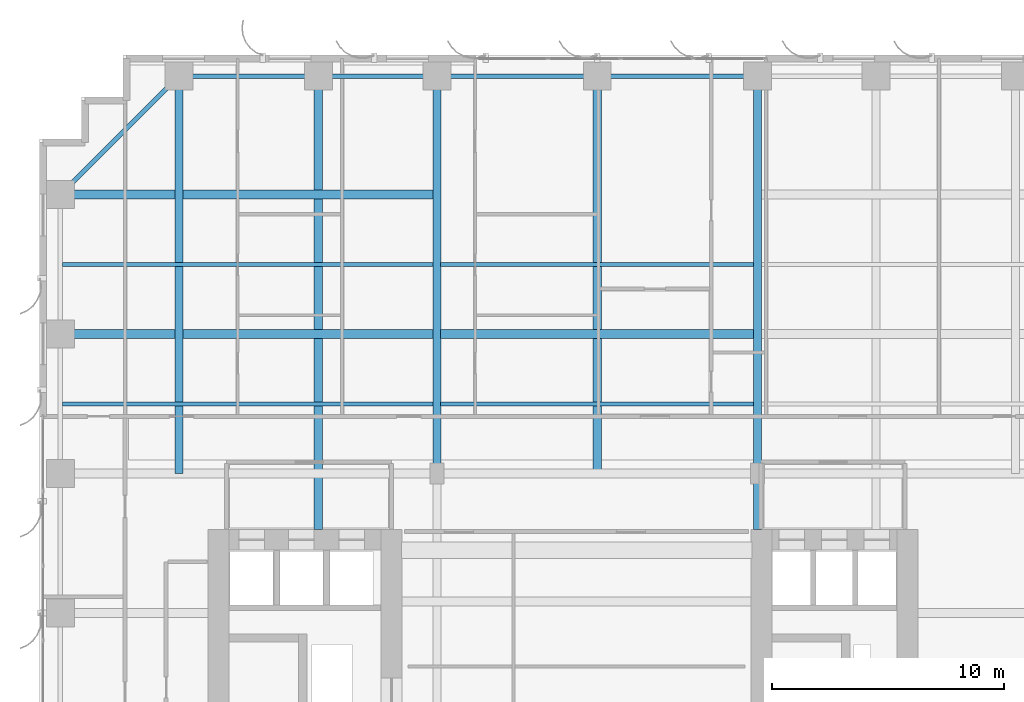
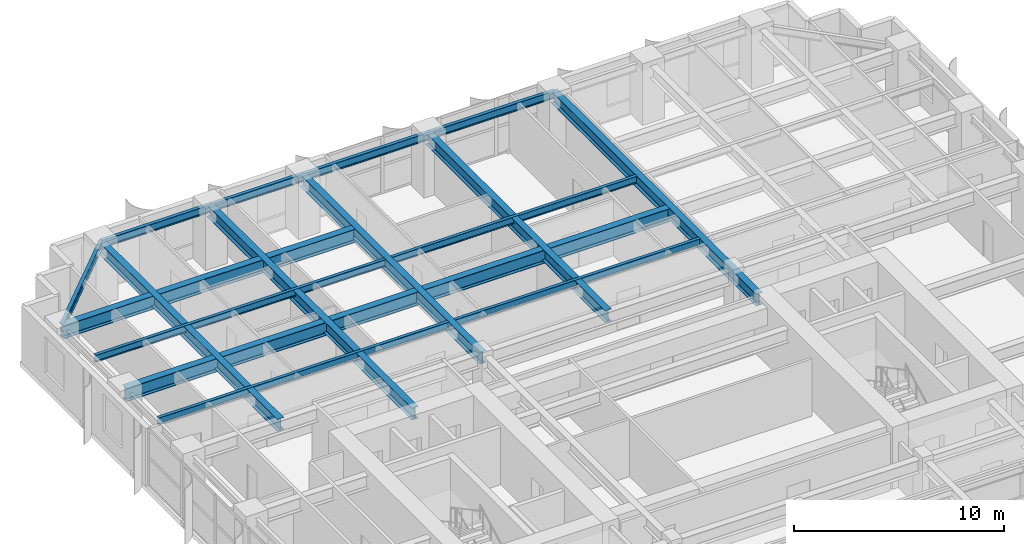
# One storey, part 10 of 23: 17 beams.
"""IFC4 building model written with IfcOpenShell, lengths in metres."""

from ifc_helpers import new_model, si_unit, direction, frame, origin, origin_2d, place, context, subcontext, project, spatial, i_section, extrude, source, transform, mapped, material, material_profile, profile_set, type_object, element, save


model = new_model("IFC4")

# Units and contexts
model_context = context("Model", 3, precision=1e-05, world=origin(), true_north=direction((0.0, 1.0)))
body_context = subcontext(model_context, "Body", "Model", "MODEL_VIEW")
ifc_project = project(units=[si_unit("LENGTHUNIT", "METRE"), si_unit("AREAUNIT", "SQUARE_METRE"), si_unit("VOLUMEUNIT", "CUBIC_METRE"), si_unit("PLANEANGLEUNIT", "RADIAN"), si_unit("MASSUNIT", "GRAM", prefix="KILO")], contexts=[model_context])

# Site, building, storey
site_placement = place(None, origin())
site = spatial("IfcSite", under=ifc_project, at=site_placement, CompositionType="ELEMENT")
building_placement = place(site_placement, origin())
building = spatial("IfcBuilding", under=site, at=building_placement, Name="Khoralis Quay Care Tower", CompositionType="ELEMENT")
storey_placement = place(building_placement, frame((0.0, 0.0, 36.89990234375)))
storey = spatial("IfcBuildingStorey", under=building, at=storey_placement, Name="L09", CompositionType="ELEMENT", Elevation=36.89990234375)

# Beams
ifc_material = material(Name="Steel S355", Category="steel")
ifc_material_profile_1 = material_profile(ifc_material, i_section(OverallWidth=0.18994140625, OverallDepth=0.449951171875, WebThickness=0.009521484375, FlangeThickness=0.0146484375, FilletRadius=0.02099609375, at=origin_2d()), Name="Steel S355")
ifc_profile_set_1 = profile_set([ifc_material_profile_1], Name="Steel S355")
beam_type_1 = type_object("IfcBeamType", Name="BM-IPE450", PredefinedType="SPANDREL", material=ifc_profile_set_1)
shared_shape_1 = source(origin(), body_context, "Body", "SweptSolid", [
    extrude(i_section(OverallWidth=0.18994140625, OverallDepth=0.449951171875, WebThickness=0.009521484375, FlangeThickness=0.0146484375, FilletRadius=0.02099609375, at=origin_2d()), origin(), (0.0, 0.0, 1.0), 6.0),
])
beam_1_placement = place(storey_placement, frame((6.0, 47.10009765625, 3.09521484375), z_axis=(1.0, 0.0, 0.0), x_axis=(0.0, 1.0, 0.0)))
element("IfcBeam", 1, at=beam_1_placement, inside=storey, type_object=beam_type_1, Name="BM-TSP-L09-07", PredefinedType="SPANDREL", context=body_context, shape_type="MappedRepresentation", body=[
    mapped(shared_shape_1, transform((0.0, 0.0, 0.0), scale=1.0)),
])
shared_shape_2 = source(origin(), body_context, "Body", "SweptSolid", [
    extrude(i_section(OverallWidth=0.18994140625, OverallDepth=0.449951171875, WebThickness=0.009521484375, FlangeThickness=0.0146484375, FilletRadius=0.02099609375, at=origin_2d()), origin(), (0.0, 0.0, 1.0), 5.10009765625),
])
beam_2_placement = place(storey_placement, frame((12.0, 47.10009765625, 3.09521484375), z_axis=(1.0, 0.0, 0.0), x_axis=(0.0, 1.0, 0.0)))
element("IfcBeam", 2, at=beam_2_placement, inside=storey, type_object=beam_type_1, Name="BM-TSP-L09-08", PredefinedType="SPANDREL", context=body_context, shape_type="MappedRepresentation", body=[
    mapped(shared_shape_2, transform((0.0, 0.0, 0.0), scale=1.0)),
])
shared_shape_3 = source(origin(), body_context, "Body", "SweptSolid", [
    extrude(i_section(OverallWidth=0.18994140625, OverallDepth=0.449951171875, WebThickness=0.009521484375, FlangeThickness=0.0146484375, FilletRadius=0.02099609375, at=origin_2d()), origin(), (0.0, 0.0, 1.0), 6.89990234375),
])
for number, where, z_axis, x_axis, name in (
    (3, (17.10009765625, 47.10009765625, 3.09521484375), (1.0, 0.0, 0.0), (0.0, 1.0, 0.0), "BM-TSP-L09-09"),
    (4, (24.0, 47.10009765625, 3.09521484375), (1.0, 0.0, 0.0), (0.0, 1.0, 0.0), "BM-TSP-L09-10"),
):
    element("IfcBeam", number, at=place(storey_placement, frame(where, z_axis=z_axis, x_axis=x_axis)), inside=storey, type_object=beam_type_1, Name=name, PredefinedType="SPANDREL", context=body_context, shape_type="MappedRepresentation", body=[
        mapped(shared_shape_3, transform((0.0, 0.0, 0.0), scale=1.0)),
    ])
shared_shape_4 = source(origin(), body_context, "Body", "SweptSolid", [
    extrude(i_section(OverallWidth=0.18994140625, OverallDepth=0.449951171875, WebThickness=0.009521484375, FlangeThickness=0.0146484375, FilletRadius=0.02099609375, at=origin_2d()), origin(), (0.0, 0.0, 1.0), 7.212646484375),
])
beam_3_placement = place(storey_placement, frame((6.0, 47.10009765625, 3.09521484375), z_axis=(-0.707106781187, -0.707106781187, 0.0), x_axis=(0.707106781187, -0.707106781187, 0.0)))
element("IfcBeam", 5, at=beam_3_placement, inside=storey, type_object=beam_type_1, Name="BM-TCR-L09-27", PredefinedType="SPANDREL", context=body_context, shape_type="MappedRepresentation", body=[
    mapped(shared_shape_4, transform((0.0, 0.0, 0.0), scale=1.0)),
])
ifc_material_profile_2 = material_profile(ifc_material, i_section(OverallWidth=0.381103515625, OverallDepth=0.77294921875, WebThickness=0.0166015625, FlangeThickness=0.027587890625, FilletRadius=0.02197265625, at=origin_2d()), Name="Steel S355")
ifc_profile_set_2 = profile_set([ifc_material_profile_2], Name="Steel S355")
beam_type_2 = type_object("IfcBeamType", Name="BM-W760X257", PredefinedType="BEAM", material=ifc_profile_set_2)
shared_shape_5 = source(origin(), body_context, "Body", "SweptSolid", [
    extrude(i_section(OverallWidth=0.381103515625, OverallDepth=0.77294921875, WebThickness=0.0166015625, FlangeThickness=0.027587890625, FilletRadius=0.02197265625, at=origin_2d()), origin(), (0.0, 0.0, 1.0), 16.03466796875),
])
for number, where, z_axis, x_axis, name in (
    (6, (0.89990234375, 36.0, 2.93359375), (1.0, 0.0, 0.0), (0.0, 1.0, 0.0), "BM-TGXW-L09-360"),
    (7, (0.89990234375, 42.0, 2.93359375), (1.0, 0.0, 0.0), (0.0, 1.0, 0.0), "BM-TGXW-L09-420"),
):
    element("IfcBeam", number, at=place(storey_placement, frame(where, z_axis=z_axis, x_axis=x_axis)), inside=storey, type_object=beam_type_2, Name=name, PredefinedType="BEAM", context=body_context, shape_type="MappedRepresentation", body=[
        mapped(shared_shape_5, transform((0.0, 0.0, 0.0), scale=1.0)),
    ])
shared_shape_6 = source(origin(), body_context, "Body", "SweptSolid", [
    extrude(i_section(OverallWidth=0.381103515625, OverallDepth=0.77294921875, WebThickness=0.0166015625, FlangeThickness=0.027587890625, FilletRadius=0.02197265625, at=origin_2d()), origin(), (0.0, 0.0, 1.0), 13.46923828125),
])
beam_4_placement = place(storey_placement, frame((17.265380859375, 36.0, 2.93359375), z_axis=(1.0, 0.0, 0.0), x_axis=(0.0, 1.0, 0.0)))
element("IfcBeam", 8, at=beam_4_placement, inside=storey, type_object=beam_type_2, Name="BM-TGCC-L09-360", PredefinedType="BEAM", context=body_context, shape_type="MappedRepresentation", body=[
    mapped(shared_shape_6, transform((0.0, 0.0, 0.0), scale=1.0)),
])
ifc_material_profile_3 = material_profile(ifc_material, i_section(OverallWidth=0.35498046875, OverallDepth=0.695068359375, WebThickness=0.015380859375, FlangeThickness=0.02490234375, FilletRadius=0.02001953125, at=origin_2d()), Name="Steel S355")
ifc_profile_set_3 = profile_set([ifc_material_profile_3], Name="Steel S355")
beam_type_3 = type_object("IfcBeamType", Name="BM-W690X217", PredefinedType="BEAM", material=ifc_profile_set_3)
shared_shape_7 = source(origin(), body_context, "Body", "SweptSolid", [
    extrude(i_section(OverallWidth=0.35498046875, OverallDepth=0.695068359375, WebThickness=0.015380859375, FlangeThickness=0.02490234375, FilletRadius=0.02001953125, at=origin_2d()), origin(), (0.0, 0.0, 1.0), 17.10009765625),
])
for number, where, z_axis, x_axis, name in (
    (9, (6.0, 30.0, 2.97265625), (0.0, 1.0, 0.0), (-1.0, 0.0, 0.0), "BM-TGYN-L09-60"),
    (10, (17.10009765625, 30.0, 2.97265625), (0.0, 1.0, 0.0), (-1.0, 0.0, 0.0), "BM-TGYN-L09-171"),
    (11, (24.0, 30.0, 2.97265625), (0.0, 1.0, 0.0), (-1.0, 0.0, 0.0), "BM-TGYN-L09-240"),
):
    element("IfcBeam", number, at=place(storey_placement, frame(where, z_axis=z_axis, x_axis=x_axis)), inside=storey, type_object=beam_type_3, Name=name, PredefinedType="BEAM", context=body_context, shape_type="MappedRepresentation", body=[
        mapped(shared_shape_7, transform((0.0, 0.0, 0.0), scale=1.0)),
    ])
shared_shape_8 = source(origin(), body_context, "Body", "SweptSolid", [
    extrude(i_section(OverallWidth=0.35498046875, OverallDepth=0.695068359375, WebThickness=0.015380859375, FlangeThickness=0.02490234375, FilletRadius=0.02001953125, at=origin_2d()), origin(), (0.0, 0.0, 1.0), 19.502197265625),
])
for number, where, z_axis, x_axis, name in (
    (12, (12.0, 27.597900390625, 2.97265625), (0.0, 1.0, 0.0), (-1.0, 0.0, 0.0), "BM-TGYN-L09-120"),
    (13, (30.89990234375, 27.597900390625, 2.97265625), (0.0, 1.0, 0.0), (-1.0, 0.0, 0.0), "BM-TGYN-L09-309"),
):
    element("IfcBeam", number, at=place(storey_placement, frame(where, z_axis=z_axis, x_axis=x_axis)), inside=storey, type_object=beam_type_3, Name=name, PredefinedType="BEAM", context=body_context, shape_type="MappedRepresentation", body=[
        mapped(shared_shape_8, transform((0.0, 0.0, 0.0), scale=1.0)),
    ])
ifc_material_profile_4 = material_profile(ifc_material, i_section(OverallWidth=0.177978515625, OverallDepth=0.406982421875, WebThickness=0.0078125, FlangeThickness=0.0126953125, FilletRadius=0.012939453125, at=origin_2d()), Name="Steel S355")
ifc_profile_set_4 = profile_set([ifc_material_profile_4], Name="Steel S355")
beam_type_4 = type_object("IfcBeamType", Name="BM-W410X60", PredefinedType="JOIST", material=ifc_profile_set_4)
shared_shape_9 = source(origin(), body_context, "Body", "SweptSolid", [
    extrude(i_section(OverallWidth=0.177978515625, OverallDepth=0.406982421875, WebThickness=0.0078125, FlangeThickness=0.0126953125, FilletRadius=0.012939453125, at=origin_2d()), origin(), (0.0, 0.0, 1.0), 15.95361328125),
])
for number, where, z_axis, x_axis, name in (
    (14, (0.98095703125, 33.0, 3.11669921875), (1.0, 0.0, 0.0), (0.0, 1.0, 0.0), "BM-TJS-L09-32"),
    (15, (0.98095703125, 39.0, 3.11669921875), (1.0, 0.0, 0.0), (0.0, 1.0, 0.0), "BM-TJS-L09-35"),
):
    element("IfcBeam", number, at=place(storey_placement, frame(where, z_axis=z_axis, x_axis=x_axis)), inside=storey, type_object=beam_type_4, Name=name, PredefinedType="JOIST", context=body_context, shape_type="MappedRepresentation", body=[
        mapped(shared_shape_9, transform((0.0, 0.0, 0.0), scale=1.0)),
    ])
shared_shape_10 = source(origin(), body_context, "Body", "SweptSolid", [
    extrude(i_section(OverallWidth=0.177978515625, OverallDepth=0.406982421875, WebThickness=0.0078125, FlangeThickness=0.0126953125, FilletRadius=0.012939453125, at=origin_2d()), origin(), (0.0, 0.0, 1.0), 13.46923828125),
])
for number, where, z_axis, x_axis, name in (
    (16, (17.265380859375, 33.0, 3.11669921875), (1.0, 0.0, 0.0), (0.0, 1.0, 0.0), "BM-TJS-L09-34"),
    (17, (17.265380859375, 39.0, 3.11669921875), (1.0, 0.0, 0.0), (0.0, 1.0, 0.0), "BM-TJS-L09-37"),
):
    element("IfcBeam", number, at=place(storey_placement, frame(where, z_axis=z_axis, x_axis=x_axis)), inside=storey, type_object=beam_type_4, Name=name, PredefinedType="JOIST", context=body_context, shape_type="MappedRepresentation", body=[
        mapped(shared_shape_10, transform((0.0, 0.0, 0.0), scale=1.0)),
    ])

save(model, "model.ifc")
